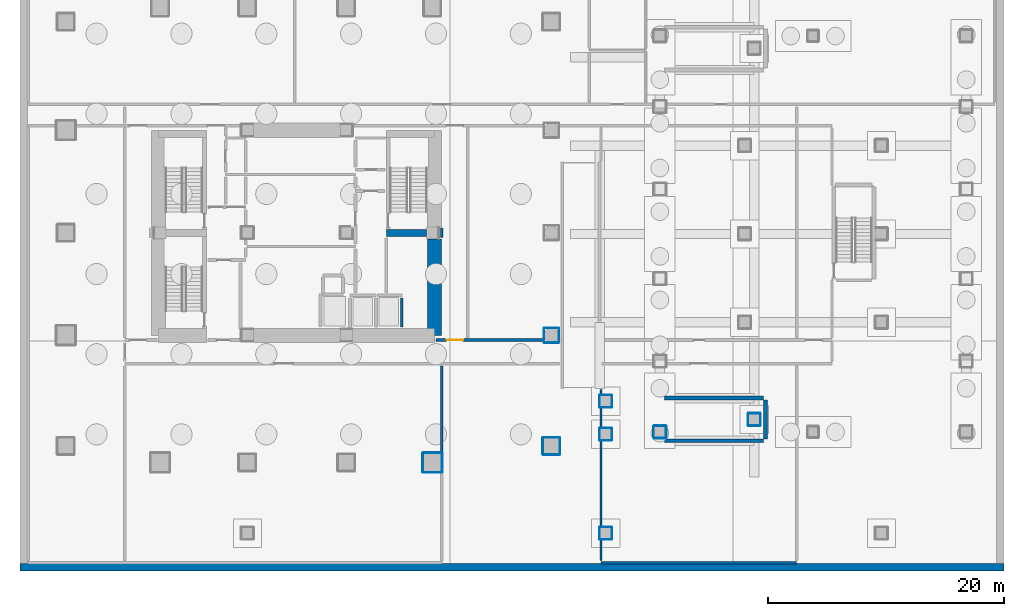
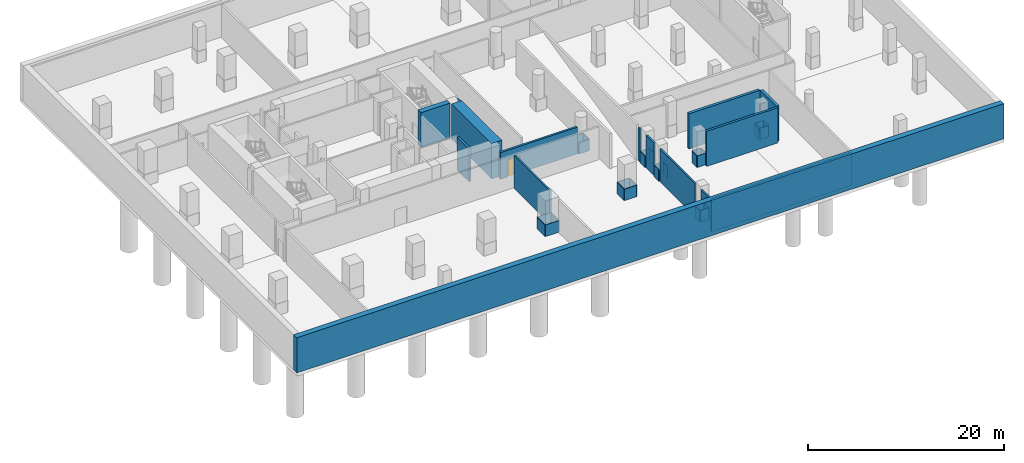
# One storey, part 5 of 13: 47 walls, 1 door, 1 opening.
"""IFC4 building model written with IfcOpenShell, lengths in metres."""

from ifc_helpers import new_model, si_unit, direction, frame, frame_2d, origin, place, context, subcontext, project, spatial, rectangle, extrude, material, layer, layer_set, type_object, element, fill, save


model = new_model("IFC4")

# Units and contexts
model_context = context("Model", 3, precision=1e-05, world=origin(), true_north=direction((0.0, 1.0)))
body_context = subcontext(model_context, "Body", "Model", "MODEL_VIEW")
ifc_project = project(units=[si_unit("LENGTHUNIT", "METRE"), si_unit("AREAUNIT", "SQUARE_METRE"), si_unit("VOLUMEUNIT", "CUBIC_METRE"), si_unit("PLANEANGLEUNIT", "RADIAN"), si_unit("MASSUNIT", "GRAM", prefix="KILO")], contexts=[model_context])

# Site, building, storey
site_placement = place(None, origin())
site = spatial("IfcSite", under=ifc_project, at=site_placement, CompositionType="ELEMENT")
building_placement = place(site_placement, origin())
building = spatial("IfcBuilding", under=site, at=building_placement, Name="Solanera Arch Residences", CompositionType="ELEMENT")
storey_placement = place(building_placement, frame((0.0, 0.0, -13.199951171875)))
storey = spatial("IfcBuildingStorey", under=building, at=storey_placement, Name="B03", CompositionType="ELEMENT", Elevation=-13.199951171875)

# Walls
ifc_material_1 = material(Name="Fire-Rated Gypsum Stud Partition", Category="gypsum")
ifc_layer_1 = layer(ifc_material_1, 0.06005859375)
ifc_layer_set_1 = layer_set([ifc_layer_1], Name="Fire-Rated Gypsum Stud Partition")
wall_type_1 = type_object("IfcWallType", Name="Column Acoustic Furring Wall 60", PredefinedType="PARTITIONING", material=ifc_layer_set_1)
for number, where, z_axis, x_axis, name in (
    (1, (35.699951171875, 10.367919921875, 0.0), (0.0, 0.0, 1.0), (1.0, 0.0, 0.0), "B03 Column Furring 10S"),
    (2, (35.699951171875, 12.031982421875, 0.0), (0.0, 0.0, 1.0), (1.0, 0.0, 0.0), "B03 Column Furring 10N"),
    (3, (35.66796875, 10.39990234375, 0.0), (0.0, 0.0, 1.0), (0.0, 1.0, 0.0), "B03 Column Furring 10W"),
    (4, (37.33203125, 10.39990234375, 0.0), (0.0, 0.0, 1.0), (0.0, 1.0, 0.0), "B03 Column Furring 10E"),
):
    element("IfcWall", number, at=place(storey_placement, frame(where, z_axis=z_axis, x_axis=x_axis)), inside=storey, type_object=wall_type_1, Name=name, PredefinedType="PARTITIONING", context=body_context, shape_type="SweptSolid", body=[
        extrude(rectangle(XDim=1.60009765625, YDim=0.06005859375, at=frame_2d((0.800048828125, 0.0))), origin(), (0.0, 0.0, 1.0), 1.449951171875),
    ])
for number, where, z_axis, x_axis, name in (
    (5, (46.0, 21.367919921875, 0.0), (0.0, 0.0, 1.0), (1.0, 0.0, 0.0), "B03 Column Furring 18S"),
    (6, (46.0, 22.632080078125, 0.0), (0.0, 0.0, 1.0), (1.0, 0.0, 0.0), "B03 Column Furring 18N"),
):
    element("IfcWall", number, at=place(storey_placement, frame(where, z_axis=z_axis, x_axis=x_axis)), inside=storey, type_object=wall_type_1, Name=name, PredefinedType="PARTITIONING", context=body_context, shape_type="SweptSolid", body=[
        extrude(rectangle(XDim=1.199951171875, YDim=0.06005859375, at=frame_2d((0.60009765625, 0.0))), origin(), (0.0, 0.0, 1.0), 1.449951171875),
    ])
for number, where, z_axis, x_axis, name in (
    (7, (45.968017578125, 21.39990234375, 0.0), (0.0, 0.0, 1.0), (0.0, 1.0, 0.0), "B03 Column Furring 18W"),
    (8, (47.23193359375, 21.39990234375, 0.0), (0.0, 0.0, 1.0), (0.0, 1.0, 0.0), "B03 Column Furring 18E"),
):
    element("IfcWall", number, at=place(storey_placement, frame(where, z_axis=z_axis, x_axis=x_axis)), inside=storey, type_object=wall_type_1, Name=name, PredefinedType="PARTITIONING", context=body_context, shape_type="SweptSolid", body=[
        extrude(rectangle(XDim=1.2001953125, YDim=0.06005859375, at=frame_2d((0.60009765625, 0.0))), origin(), (0.0, 0.0, 1.0), 1.449951171875),
    ])
for number, where, z_axis, x_axis, name in (
    (9, (45.89990234375, 11.867919921875, 0.0), (0.0, 0.0, 1.0), (1.0, 0.0, 0.0), "B03 Column Furring 22S"),
    (10, (45.89990234375, 13.33203125, 0.0), (0.0, 0.0, 1.0), (1.0, 0.0, 0.0), "B03 Column Furring 22N"),
    (11, (45.867919921875, 11.89990234375, 0.0), (0.0, 0.0, 1.0), (0.0, 1.0, 0.0), "B03 Column Furring 22W"),
    (12, (47.33203125, 11.89990234375, 0.0), (0.0, 0.0, 1.0), (0.0, 1.0, 0.0), "B03 Column Furring 22E"),
):
    element("IfcWall", number, at=place(storey_placement, frame(where, z_axis=z_axis, x_axis=x_axis)), inside=storey, type_object=wall_type_1, Name=name, PredefinedType="PARTITIONING", context=body_context, shape_type="SweptSolid", body=[
        extrude(rectangle(XDim=1.400146484375, YDim=0.06005859375, at=frame_2d((0.7001953125, 0.0))), origin(), (0.0, 0.0, 1.0), 1.449951171875),
    ])
for number, where, z_axis, x_axis, name in (
    (13, (50.699951171875, 13.068115234375, 0.0), (0.0, 0.0, 1.0), (1.0, 0.0, 0.0), "B03 Column Furring 33S"),
    (14, (50.699951171875, 14.132080078125, 0.0), (0.0, 0.0, 1.0), (1.0, 0.0, 0.0), "B03 Column Furring 33N"),
    (15, (50.66796875, 13.10009765625, 0.0), (0.0, 0.0, 1.0), (0.0, 1.0, 0.0), "B03 Column Furring 33W"),
    (16, (51.73193359375, 13.10009765625, 0.0), (0.0, 0.0, 1.0), (0.0, 1.0, 0.0), "B03 Column Furring 33E"),
    (17, (50.699951171875, 15.867919921875, 0.0), (0.0, 0.0, 1.0), (1.0, 0.0, 0.0), "B03 Column Furring 34S"),
    (18, (50.699951171875, 16.931884765625, 0.0), (0.0, 0.0, 1.0), (1.0, 0.0, 0.0), "B03 Column Furring 34N"),
    (19, (50.66796875, 15.89990234375, 0.0), (0.0, 0.0, 1.0), (0.0, 1.0, 0.0), "B03 Column Furring 34W"),
    (20, (51.73193359375, 15.89990234375, 0.0), (0.0, 0.0, 1.0), (0.0, 1.0, 0.0), "B03 Column Furring 34E"),
    (21, (50.699951171875, 4.66796875, 0.0), (0.0, 0.0, 1.0), (1.0, 0.0, 0.0), "B03 Column Furring 36S"),
    (22, (50.699951171875, 5.73193359375, 0.0), (0.0, 0.0, 1.0), (1.0, 0.0, 0.0), "B03 Column Furring 36N"),
    (23, (50.66796875, 4.699951171875, 0.0), (0.0, 0.0, 1.0), (0.0, 1.0, 0.0), "B03 Column Furring 36W"),
    (24, (51.73193359375, 4.699951171875, 0.0), (0.0, 0.0, 1.0), (0.0, 1.0, 0.0), "B03 Column Furring 36E"),
    (25, (63.300048828125, 14.327880859375, 0.0), (0.0, 0.0, 1.0), (1.0, 0.0, 0.0), "B03 Column Furring 41S"),
    (26, (63.300048828125, 15.39208984375, 0.0), (0.0, 0.0, 1.0), (1.0, 0.0, 0.0), "B03 Column Furring 41N"),
    (27, (63.26806640625, 14.360107421875, 0.0), (0.0, 0.0, 1.0), (0.0, 1.0, 0.0), "B03 Column Furring 41W"),
    (28, (64.33203125, 14.360107421875, 0.0), (0.0, 0.0, 1.0), (0.0, 1.0, 0.0), "B03 Column Furring 41E"),
    (29, (55.300048828125, 13.26806640625, 0.0), (0.0, 0.0, 1.0), (1.0, 0.0, 0.0), "B03 Column Furring 43S"),
    (30, (55.300048828125, 14.33203125, 0.0), (0.0, 0.0, 1.0), (1.0, 0.0, 0.0), "B03 Column Furring 43N"),
    (31, (55.26806640625, 13.300048828125, 0.0), (0.0, 0.0, 1.0), (0.0, 1.0, 0.0), "B03 Column Furring 43W"),
    (32, (56.33203125, 13.300048828125, 0.0), (0.0, 0.0, 1.0), (0.0, 1.0, 0.0), "B03 Column Furring 43E"),
):
    element("IfcWall", number, at=place(storey_placement, frame(where, z_axis=z_axis, x_axis=x_axis)), inside=storey, type_object=wall_type_1, Name=name, PredefinedType="PARTITIONING", context=body_context, shape_type="SweptSolid", body=[
        extrude(rectangle(XDim=1.0, YDim=0.06005859375, at=frame_2d((0.5, 0.0))), origin(), (0.0, 0.0, 1.0), 1.449951171875),
    ])
ifc_material_2 = material(Name="Concrete C55/67 (f'c = 60 MPa)", Category="concrete")
ifc_layer_2 = layer(ifc_material_2, 1.199951171875)
ifc_layer_set_2 = layer_set([ifc_layer_2], Name="Concrete C55/67 (f'c = 60 MPa)")
wall_type_2 = type_object("IfcWallType", Name="Core Shear Wall CW-1200", PredefinedType="SHEAR", material=ifc_layer_set_2)
wall_1_placement = place(storey_placement, frame((36.659912109375, 22.0, 0.0), z_axis=(0.0, 0.0, 1.0), x_axis=(0.0, 1.0, 0.0)))
element("IfcWall", 33, at=wall_1_placement, inside=storey, type_object=wall_type_2, Name="B03 East Core South Shear Wall", PredefinedType="SHEAR", context=body_context, shape_type="SweptSolid", body=[
    extrude(rectangle(XDim=8.195068359375, YDim=1.199951171875, at=frame_2d((4.09765625, 0.0))), origin(), (0.0, 0.0, 1.0), 4.39990234375),
])
ifc_material_3 = material(Name="Concrete C40/50 (f'c = 45 MPa)", Category="concrete")
ifc_layer_3 = layer(ifc_material_3, 0.320068359375)
ifc_layer_set_3 = layer_set([ifc_layer_3], Name="Concrete C40/50 (f'c = 45 MPa)")
wall_type_3 = type_object("IfcWallType", Name="Core Shear Wall CW-320", PredefinedType="SHEAR", material=ifc_layer_set_3)
wall_2_placement = place(storey_placement, frame((64.760009765625, 13.199951171875, 0.0), z_axis=(0.0, 0.0, 1.0), x_axis=(0.0, 1.0, 0.0)))
element("IfcWall", 34, at=wall_2_placement, inside=storey, type_object=wall_type_3, Name="B03 Stair ST-H1 East Shear Wall", PredefinedType="SHEAR", context=body_context, shape_type="SweptSolid", body=[
    extrude(rectangle(XDim=3.320068359375, YDim=0.320068359375, at=frame_2d((1.66015625, 0.0))), origin(), (0.0, 0.0, 1.0), 4.39990234375),
])
wall_3_placement = place(storey_placement, frame((56.199951171875, 13.06005859375, 0.0), z_axis=(0.0, 0.0, 1.0), x_axis=(1.0, 0.0, 0.0)))
element("IfcWall", 35, at=wall_3_placement, inside=storey, type_object=wall_type_3, Name="B03 Stair ST-H1 South Shear Wall", PredefinedType="SHEAR", context=body_context, shape_type="SweptSolid", body=[
    extrude(rectangle(XDim=8.400146484375, YDim=0.280029296875, at=frame_2d((4.2001953125, 0.0))), origin(), (0.0, 0.0, 1.0), 4.39990234375),
])
wall_4_placement = place(storey_placement, frame((56.199951171875, 16.679931640625, 0.0), z_axis=(0.0, 0.0, 1.0), x_axis=(1.0, 0.0, 0.0)))
element("IfcWall", 36, at=wall_4_placement, inside=storey, type_object=wall_type_3, Name="B03 Stair ST-H1 North Shear Wall", PredefinedType="SHEAR", context=body_context, shape_type="SweptSolid", body=[
    extrude(rectangle(XDim=8.400146484375, YDim=0.320068359375, at=frame_2d((4.2001953125, 0.0))), origin(), (0.0, 0.0, 1.0), 4.39990234375),
])
ifc_material_4 = material(Name="Concrete C40/50 (f'c = 45 MPa)", Category="concrete")
ifc_layer_4 = layer(ifc_material_4, 0.60009765625)
ifc_layer_set_4 = layer_set([ifc_layer_4], Name="Concrete C40/50 (f'c = 45 MPa)")
wall_type_4 = type_object("IfcWallType", Name="Core Shear Wall CW-600", PredefinedType="SHEAR", material=ifc_layer_set_4)
wall_5_placement = place(storey_placement, frame((32.580078125, 30.699951171875, 0.0), z_axis=(0.0, 0.0, 1.0), x_axis=(1.0, 0.0, 0.0)))
element("IfcWall", 37, at=wall_5_placement, inside=storey, type_object=wall_type_4, Name="B03 East Stair Far-Landing Shear Wall", PredefinedType="SHEAR", context=body_context, shape_type="SweptSolid", body=[
    extrude(rectangle(XDim=3.4150390625, YDim=0.60009765625, at=frame_2d((1.70751953125, 0.0))), origin(), (0.0, 0.0, 1.0), 4.39990234375),
])
ifc_material_5 = material(Name="Autoclaved Aerated Concrete Blockwork", Category="masonry")
ifc_layer_5 = layer(ifc_material_5, 0.199951171875)
ifc_layer_set_5 = layer_set([ifc_layer_5], Name="Autoclaved Aerated Concrete Blockwork")
wall_type_5 = type_object("IfcWallType", Name="Party Wall Acoustic 200", PredefinedType="PARTITIONING", material=ifc_layer_set_5)
wall_6_placement = place(storey_placement, frame((50.800048828125, 2.699951171875, 0.0), z_axis=(0.0, 0.0, 1.0), x_axis=(1.0, 0.0, 0.0)))
element("IfcWall", 38, at=wall_6_placement, inside=storey, type_object=wall_type_5, Name="B03 Interior Partition H8", PredefinedType="PARTITIONING", context=body_context, shape_type="SweptSolid", body=[
    extrude(rectangle(XDim=16.599853515625, YDim=0.199951171875, at=frame_2d((8.2998046875, 0.0))), origin(), (0.0, 0.0, 1.0), 4.099853515625),
])
wall_7_placement = place(storey_placement, frame((37.300048828125, 12.112060546875, 0.0), z_axis=(0.0, 0.0, 1.0), x_axis=(0.0, 1.0, 0.0)))
element("IfcWall", 39, at=wall_7_placement, inside=storey, type_object=wall_type_5, Name="B03 Interior Partition V11 2", PredefinedType="PARTITIONING", context=body_context, shape_type="SweptSolid", body=[
    extrude(rectangle(XDim=7.280029296875, YDim=0.199951171875, at=frame_2d((3.64013671875, 0.0))), origin(), (0.0, 0.0, 1.0), 4.099853515625),
])
wall_8_placement = place(storey_placement, frame((37.300048828125, 30.297119140625, 0.0), z_axis=(0.0, 0.0, 1.0), x_axis=(0.0, 1.0, 0.0)))
element("IfcWall", 40, at=wall_8_placement, inside=storey, type_object=wall_type_5, Name="B03 Interior Partition V12", PredefinedType="PARTITIONING", context=body_context, shape_type="SweptSolid", body=[
    extrude(rectangle(XDim=0.805908203125, YDim=0.199951171875, at=frame_2d((0.40283203125, 0.0))), origin(), (0.0, 0.0, 1.0), 4.099853515625),
])
wall_9_placement = place(storey_placement, frame((50.800048828125, 2.907958984375, 0.0), z_axis=(0.0, 0.0, 1.0), x_axis=(0.0, 1.0, 0.0)))
element("IfcWall", 41, at=wall_9_placement, inside=storey, type_object=wall_type_5, Name="B03 Interior Partition V14 1", PredefinedType="PARTITIONING", context=body_context, shape_type="SweptSolid", body=[
    extrude(rectangle(XDim=1.679931640625, YDim=0.199951171875, at=frame_2d((0.83984375, 0.0))), origin(), (0.0, 0.0, 1.0), 4.099853515625),
])
wall_10_placement = place(storey_placement, frame((50.800048828125, 5.81201171875, 0.0), z_axis=(0.0, 0.0, 1.0), x_axis=(0.0, 1.0, 0.0)))
element("IfcWall", 42, at=wall_10_placement, inside=storey, type_object=wall_type_5, Name="B03 Interior Partition V14 2", PredefinedType="PARTITIONING", context=body_context, shape_type="SweptSolid", body=[
    extrude(rectangle(XDim=7.176025390625, YDim=0.199951171875, at=frame_2d((3.587890625, 0.0))), origin(), (0.0, 0.0, 1.0), 4.099853515625),
])
wall_11_placement = place(storey_placement, frame((50.800048828125, 14.2119140625, 0.0), z_axis=(0.0, 0.0, 1.0), x_axis=(0.0, 1.0, 0.0)))
element("IfcWall", 43, at=wall_11_placement, inside=storey, type_object=wall_type_5, Name="B03 Interior Partition V14 3", PredefinedType="PARTITIONING", context=body_context, shape_type="SweptSolid", body=[
    extrude(rectangle(XDim=1.576171875, YDim=0.199951171875, at=frame_2d((0.7880859375, 0.0))), origin(), (0.0, 0.0, 1.0), 4.099853515625),
])
wall_12_placement = place(storey_placement, frame((50.800048828125, 17.011962890625, 0.0), z_axis=(0.0, 0.0, 1.0), x_axis=(0.0, 1.0, 0.0)))
element("IfcWall", 44, at=wall_12_placement, inside=storey, type_object=wall_type_5, Name="B03 Interior Partition V14 4", PredefinedType="PARTITIONING", context=body_context, shape_type="SweptSolid", body=[
    extrude(rectangle(XDim=0.380126953125, YDim=0.199951171875, at=frame_2d((0.18994140625, 0.0))), origin(), (0.0, 0.0, 1.0), 4.099853515625),
])
ifc_material_6 = material(Name="Autoclaved Aerated Concrete Blockwork", Category="masonry")
ifc_layer_6 = layer(ifc_material_6, 0.239990234375)
ifc_layer_set_6 = layer_set([ifc_layer_6], Name="Autoclaved Aerated Concrete Blockwork")
wall_type_6 = type_object("IfcWallType", Name="Shaft Wall Fire-Rated 240", PredefinedType="PARTITIONING", material=ifc_layer_set_6)
wall_13_placement = place(storey_placement, frame((33.89990234375, 22.72998046875, 0.0), z_axis=(0.0, 0.0, 1.0), x_axis=(0.0, 1.0, 0.0)))
element("IfcWall", 45, at=wall_13_placement, inside=storey, type_object=wall_type_6, Name="B03 Lift FFL-2 Hoistway Wall E", PredefinedType="PARTITIONING", context=body_context, shape_type="SweptSolid", body=[
    extrude(rectangle(XDim=2.422119140625, YDim=0.239990234375, at=frame_2d((1.2109375, 0.0))), origin(), (0.0, 0.0, 1.0), 4.099853515625),
])

# Wall, opening, door
wall_14_placement = place(storey_placement, frame((36.7900390625, 21.60009765625, 0.0), z_axis=(0.0, 0.0, 1.0), x_axis=(1.0, 0.0, 0.0)))
wall_14 = element("IfcWall", 46, at=wall_14_placement, inside=storey, type_object=wall_type_6, Name="B03 Interior Partition H1 3", PredefinedType="PARTITIONING", context=body_context, shape_type="SweptSolid", body=[
    extrude(rectangle(XDim=9.077880859375, YDim=0.239990234375, at=frame_2d((4.5390625, 0.0))), origin(), (0.0, 0.0, 1.0), 3.3349609375),
])
opening_placement = place(wall_14_placement, frame((0.909912109375, 0.0, 0.0)))
opening = element("IfcOpeningElement", 47, at=opening_placement, cuts=wall_14, Name="Opening DF-03", PredefinedType="OPENING", context=body_context, shape_type="SweptSolid", body=[
    extrude(rectangle(XDim=1.39990234375, YDim=2.14990234375, at=frame_2d((0.699951171875, 1.074951171875))), frame((0.0, 0.1298828125, 0.0), z_axis=(0.0, -1.0, 0.0), x_axis=(1.0, 0.0, 0.0)), (0.0, 0.0, 1.0), 0.26),
])
ifc_material_7 = material(Name="Fire-Rated Architectural Hardwood", Category="wood")
door_type = type_object("IfcDoorType", Name="Corridor Smoke Door DF-03", OperationType="NOTDEFINED", PredefinedType="DOOR", material=ifc_material_7)
door_placement = place(opening_placement, origin())
door = element("IfcDoor", 48, at=door_placement, inside=storey, type_object=door_type, Name="DR-B03-IN-012", OperationType="SINGLE_SWING_LEFT", OverallHeight=2.14990234375, OverallWidth=1.39990234375, PredefinedType="DOOR", context=body_context, shape_type="SweptSolid", body=[
    extrude(rectangle(XDim=1.39990234375, YDim=2.14990234375, at=frame_2d((0.699951171875, 1.074951171875))), frame((0.0, 0.02490234375, 0.0), z_axis=(0.0, -1.0, 0.0), x_axis=(1.0, 0.0, 0.0)), (0.0, 0.0, 1.0), 0.050048828125),
])
fill(opening, door)

# Wall
ifc_material_8 = material(Name="Concrete C40/50 (f'c = 45 MPa)", Category="concrete")
ifc_layer_7 = layer(ifc_material_8, 0.64990234375)
ifc_layer_set_7 = layer_set([ifc_layer_7], Name="Concrete C40/50 (f'c = 45 MPa)")
wall_type_7 = type_object("IfcWallType", Name="Solid Exterior Wall Substructure 650", PredefinedType="SOLIDWALL", material=ifc_layer_set_7)
wall_15_placement = place(storey_placement, frame((1.5, 2.324951171875, 0.0), z_axis=(0.0, 0.0, 1.0), x_axis=(1.0, 0.0, 0.0)))
element("IfcWall", 49, at=wall_15_placement, inside=storey, type_object=wall_type_7, Name="B03 South Basement Retaining Wall", PredefinedType="SOLIDWALL", context=body_context, shape_type="SweptSolid", body=[
    extrude(rectangle(XDim=83.5, YDim=0.64990234375, at=frame_2d((41.75, 0.0))), origin(), (0.0, 0.0, 1.0), 4.39990234375),
])

save(model, "model.ifc")
